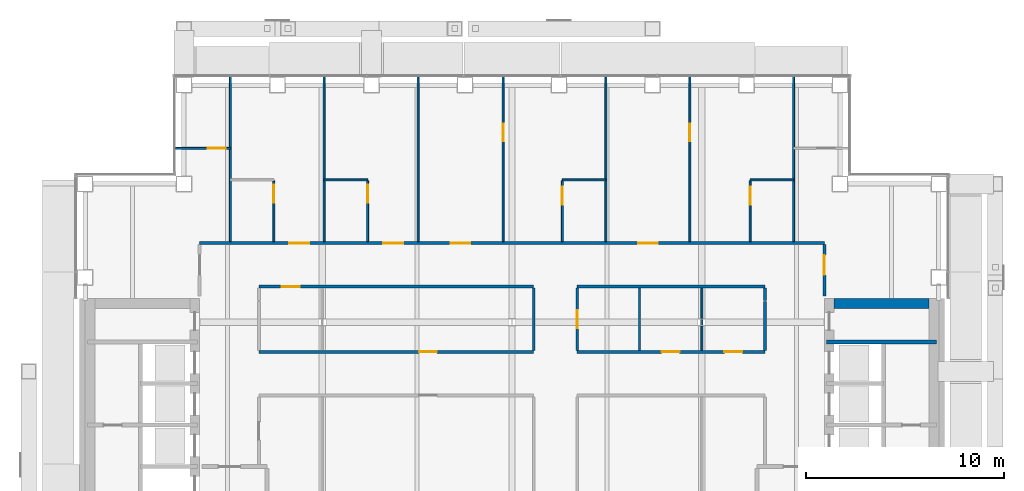
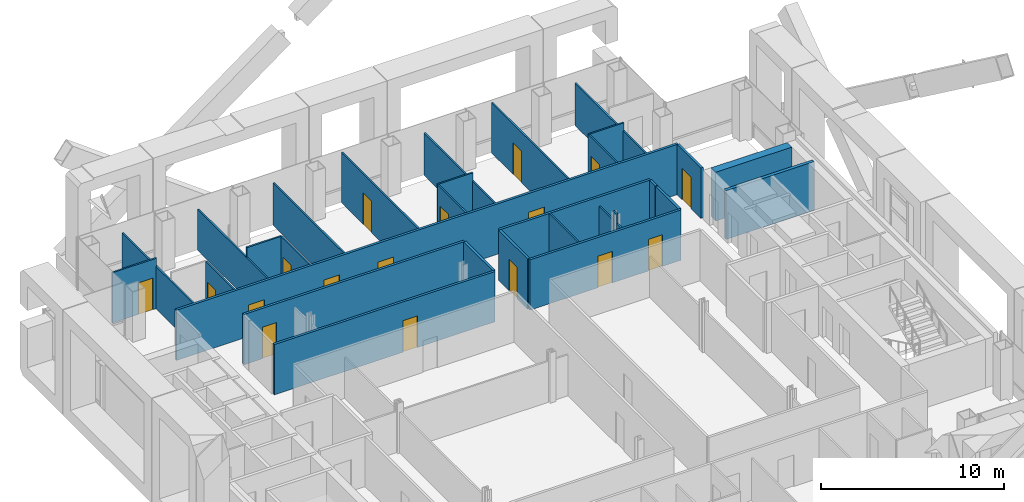
# One storey, part 15 of 22: 31 walls, 17 doors, 17 openings.
"""IFC4 building model written with IfcOpenShell, lengths in metres."""

from ifc_helpers import new_model, si_unit, direction, frame, frame_2d, origin, place, context, subcontext, project, spatial, rectangle, extrude, material, layer, layer_set, type_object, element, fill, save


model = new_model("IFC4")

# Units and contexts
model_context = context("Model", 3, precision=1e-05, world=origin(), true_north=direction((0.0, 1.0)))
body_context = subcontext(model_context, "Body", "Model", "MODEL_VIEW")
ifc_project = project(units=[si_unit("LENGTHUNIT", "METRE"), si_unit("AREAUNIT", "SQUARE_METRE"), si_unit("VOLUMEUNIT", "CUBIC_METRE"), si_unit("PLANEANGLEUNIT", "RADIAN"), si_unit("MASSUNIT", "GRAM", prefix="KILO")], contexts=[model_context])

# Site, building, storey
site_placement = place(None, origin())
site = spatial("IfcSite", under=ifc_project, at=site_placement, CompositionType="ELEMENT")
building_placement = place(site_placement, origin())
building = spatial("IfcBuilding", under=site, at=building_placement, Name="Cobrizo Arcos Hotel Tower", CompositionType="ELEMENT")
storey_placement = place(building_placement, frame((0.0, 0.0, 169.0)))
storey = spatial("IfcBuildingStorey", under=building, at=storey_placement, Name="L43", CompositionType="ELEMENT", Elevation=169.0)

# Wall, opening, door
ifc_material_1 = material(Name="Gypsum board partition")
ifc_layer_1 = layer(ifc_material_1, 0.14990234375)
ifc_layer_set_1 = layer_set([ifc_layer_1], Name="Corridor wall EI 60 150")
wall_type_1 = type_object("IfcWallType", Name="Corridor wall EI 60 150", PredefinedType="PARTITIONING", material=ifc_layer_set_1)
wall_1_placement = place(storey_placement, frame((-12.800048828125, 8.10009765625, 0.0), z_axis=(0.0, 0.0, 1.0), x_axis=(1.0, 0.0, 0.0)))
wall_1 = element("IfcWall", 1, at=wall_1_placement, inside=storey, type_object=wall_type_1, Name="Partition 033", PredefinedType="PARTITIONING", context=body_context, shape_type="SweptSolid", body=[
    extrude(rectangle(XDim=13.900146484375, YDim=0.14990234375, at=frame_2d((6.9501953125, 0.0))), origin(), (0.0, 0.0, 1.0), 3.35009765625),
])
opening_1_placement = place(wall_1_placement, frame((8.10009765625, 0.0, 0.0)))
opening_1 = element("IfcOpeningElement", 2, at=opening_1_placement, cuts=wall_1, Name="Opening RD-16", PredefinedType="OPENING", context=body_context, shape_type="SweptSolid", body=[
    extrude(rectangle(XDim=0.89990234375, YDim=2.10009765625, at=frame_2d((0.449951171875, 1.050048828125))), frame((0.0, 0.0869140625, 0.0), z_axis=(0.0, -1.0, 0.0), x_axis=(1.0, 0.0, 0.0)), (0.0, 0.0, 1.0), 0.173828125),
])
ifc_material_2 = material(Name="Timber door leaf", Category="wood")
door_type_1 = type_object("IfcDoorType", Name="Room door FD30 900x2100", OperationType="SINGLE_SWING_LEFT", PredefinedType="DOOR", material=ifc_material_2)
door_1_placement = place(opening_1_placement, origin())
door_1 = element("IfcDoor", 3, at=door_1_placement, inside=storey, type_object=door_type_1, Name="Door RD-16", OperationType="SINGLE_SWING_LEFT", OverallHeight=2.10009765625, OverallWidth=0.89990234375, PredefinedType="DOOR", context=body_context, shape_type="SweptSolid", body=[
    extrude(rectangle(XDim=0.89990234375, YDim=2.10009765625, at=frame_2d((0.449951171875, 1.050048828125))), frame((0.0, 0.02490234375, 0.0), z_axis=(0.0, -1.0, 0.0), x_axis=(1.0, 0.0, 0.0)), (0.0, 0.0, 1.0), 0.050048828125),
])
fill(opening_1, door_1)

# Wall, openings, doors
wall_2_placement = place(storey_placement, frame((3.300048828125, 8.10009765625, 0.0), z_axis=(0.0, 0.0, 1.0), x_axis=(1.0, 0.0, 0.0)))
wall_2 = element("IfcWall", 4, at=wall_2_placement, inside=storey, type_object=wall_type_1, Name="Partition 034", PredefinedType="PARTITIONING", context=body_context, shape_type="SweptSolid", body=[
    extrude(rectangle(XDim=9.5, YDim=0.14990234375, at=frame_2d((4.75, 0.0))), origin(), (0.0, 0.0, 1.0), 3.35009765625),
])
opening_2_placement = place(wall_2_placement, frame((7.449951171875, 0.0, 0.0)))
opening_2 = element("IfcOpeningElement", 5, at=opening_2_placement, cuts=wall_2, Name="Opening RD-13", PredefinedType="OPENING", context=body_context, shape_type="SweptSolid", body=[
    extrude(rectangle(XDim=0.89990234375, YDim=2.10009765625, at=frame_2d((0.449951171875, 1.050048828125))), frame((0.0, 0.0869140625, 0.0), z_axis=(0.0, -1.0, 0.0), x_axis=(1.0, 0.0, 0.0)), (0.0, 0.0, 1.0), 0.173828125),
])
opening_3_placement = place(wall_2_placement, frame((4.27490234375, 0.0, 0.0)))
opening_3 = element("IfcOpeningElement", 6, at=opening_3_placement, cuts=wall_2, Name="Opening ED-13", PredefinedType="OPENING", context=body_context, shape_type="SweptSolid", body=[
    extrude(rectangle(XDim=0.89990234375, YDim=2.10009765625, at=frame_2d((0.449951171875, 1.050048828125))), frame((0.0, 0.0869140625, 0.0), z_axis=(0.0, -1.0, 0.0), x_axis=(1.0, 0.0, 0.0)), (0.0, 0.0, 1.0), 0.173828125),
])
door_type_2 = type_object("IfcDoorType", Name="En-suite door 900x2100", OperationType="SINGLE_SWING_LEFT", PredefinedType="DOOR", material=ifc_material_2)
door_2_placement = place(opening_3_placement, origin())
door_2 = element("IfcDoor", 7, at=door_2_placement, inside=storey, type_object=door_type_2, Name="Door ED-13", OperationType="SINGLE_SWING_LEFT", OverallHeight=2.10009765625, OverallWidth=0.89990234375, PredefinedType="DOOR", context=body_context, shape_type="SweptSolid", body=[
    extrude(rectangle(XDim=0.89990234375, YDim=2.10009765625, at=frame_2d((0.449951171875, 1.050048828125))), frame((0.0, 0.02490234375, 0.0), z_axis=(0.0, -1.0, 0.0), x_axis=(1.0, 0.0, 0.0)), (0.0, 0.0, 1.0), 0.050048828125),
])
fill(opening_3, door_2)
door_3_placement = place(opening_2_placement, origin())
door_3 = element("IfcDoor", 8, at=door_3_placement, inside=storey, type_object=door_type_1, Name="Door RD-13", OperationType="SINGLE_SWING_RIGHT", OverallHeight=2.10009765625, OverallWidth=0.89990234375, PredefinedType="DOOR", context=body_context, shape_type="SweptSolid", body=[
    extrude(rectangle(XDim=0.89990234375, YDim=2.10009765625, at=frame_2d((0.449951171875, 1.050048828125))), frame((0.0, 0.02490234375, 0.0), z_axis=(0.0, -1.0, 0.0), x_axis=(1.0, 0.0, 0.0)), (0.0, 0.0, 1.0), 0.050048828125),
])
fill(opening_2, door_3)

# Wall, opening, door
wall_3_placement = place(storey_placement, frame((-12.800048828125, 11.39990234375, 0.0), z_axis=(0.0, 0.0, 1.0), x_axis=(1.0, 0.0, 0.0)))
wall_3 = element("IfcWall", 9, at=wall_3_placement, inside=storey, type_object=wall_type_1, Name="Partition 037", PredefinedType="PARTITIONING", context=body_context, shape_type="SweptSolid", body=[
    extrude(rectangle(XDim=13.900146484375, YDim=0.14990234375, at=frame_2d((6.9501953125, 0.0))), origin(), (0.0, 0.0, 1.0), 3.35009765625),
])
opening_4_placement = place(wall_3_placement, frame((1.14990234375, 0.0, 0.0)))
opening_4 = element("IfcOpeningElement", 10, at=opening_4_placement, cuts=wall_3, Name="Opening RD-14", PredefinedType="OPENING", context=body_context, shape_type="SweptSolid", body=[
    extrude(rectangle(XDim=0.89990234375, YDim=2.10009765625, at=frame_2d((0.449951171875, 1.050048828125))), frame((0.0, 0.0869140625, 0.0), z_axis=(0.0, -1.0, 0.0), x_axis=(1.0, 0.0, 0.0)), (0.0, 0.0, 1.0), 0.173828125),
])
door_4_placement = place(opening_4_placement, origin())
door_4 = element("IfcDoor", 11, at=door_4_placement, inside=storey, type_object=door_type_1, Name="Door RD-14", OperationType="SINGLE_SWING_RIGHT", OverallHeight=2.10009765625, OverallWidth=0.89990234375, PredefinedType="DOOR", context=body_context, shape_type="SweptSolid", body=[
    extrude(rectangle(XDim=0.89990234375, YDim=2.10009765625, at=frame_2d((0.449951171875, 1.050048828125))), frame((0.0, 0.02490234375, 0.0), z_axis=(0.0, -1.0, 0.0), x_axis=(1.0, 0.0, 0.0)), (0.0, 0.0, 1.0), 0.050048828125),
])
fill(opening_4, door_4)

# Wall
wall_4_placement = place(storey_placement, frame((3.300048828125, 11.39990234375, 0.0), z_axis=(0.0, 0.0, 1.0), x_axis=(1.0, 0.0, 0.0)))
element("IfcWall", 12, at=wall_4_placement, inside=storey, type_object=wall_type_1, Name="Partition 038", PredefinedType="PARTITIONING", context=body_context, shape_type="SweptSolid", body=[
    extrude(rectangle(XDim=9.5, YDim=0.14990234375, at=frame_2d((4.75, 0.0))), origin(), (0.0, 0.0, 1.0), 3.35009765625),
])

# Wall, openings, doors
wall_5_placement = place(storey_placement, frame((-15.800048828125, 13.60009765625, 0.0), z_axis=(0.0, 0.0, 1.0), x_axis=(1.0, 0.0, 0.0)))
wall_5 = element("IfcWall", 13, at=wall_5_placement, inside=storey, type_object=wall_type_1, Name="Partition 039", PredefinedType="PARTITIONING", context=body_context, shape_type="SweptSolid", body=[
    extrude(rectangle(XDim=31.60009765625, YDim=0.14990234375, at=frame_2d((15.800048828125, 0.0))), origin(), (0.0, 0.0, 1.0), 3.35009765625),
])
opening_5_placement = place(wall_5_placement, frame((4.54296875, 0.0, 0.0)))
opening_5 = element("IfcOpeningElement", 14, at=opening_5_placement, cuts=wall_5, Name="Opening GD-01", PredefinedType="OPENING", context=body_context, shape_type="SweptSolid", body=[
    extrude(rectangle(XDim=1.0, YDim=2.10009765625, at=frame_2d((0.5, 1.050048828125))), frame((0.0, 0.0869140625, 0.0), z_axis=(0.0, -1.0, 0.0), x_axis=(1.0, 0.0, 0.0)), (0.0, 0.0, 1.0), 0.173828125),
])
opening_6_placement = place(wall_5_placement, frame((9.285888671875, 0.0, 0.0)))
opening_6 = element("IfcOpeningElement", 15, at=opening_6_placement, cuts=wall_5, Name="Opening GD-02", PredefinedType="OPENING", context=body_context, shape_type="SweptSolid", body=[
    extrude(rectangle(XDim=1.0, YDim=2.10009765625, at=frame_2d((0.5, 1.050048828125))), frame((0.0, 0.0869140625, 0.0), z_axis=(0.0, -1.0, 0.0), x_axis=(1.0, 0.0, 0.0)), (0.0, 0.0, 1.0), 0.173828125),
])
opening_7_placement = place(wall_5_placement, frame((12.69189453125, 0.0, 0.0)))
opening_7 = element("IfcOpeningElement", 16, at=opening_7_placement, cuts=wall_5, Name="Opening GD-03", PredefinedType="OPENING", context=body_context, shape_type="SweptSolid", body=[
    extrude(rectangle(XDim=1.0, YDim=2.10009765625, at=frame_2d((0.5, 1.050048828125))), frame((0.0, 0.0869140625, 0.0), z_axis=(0.0, -1.0, 0.0), x_axis=(1.0, 0.0, 0.0)), (0.0, 0.0, 1.0), 0.173828125),
])
opening_8_placement = place(wall_5_placement, frame((22.177978515625, 0.0, 0.0)))
opening_8 = element("IfcOpeningElement", 17, at=opening_8_placement, cuts=wall_5, Name="Opening GD-04", PredefinedType="OPENING", context=body_context, shape_type="SweptSolid", body=[
    extrude(rectangle(XDim=1.0, YDim=2.10009765625, at=frame_2d((0.5, 1.050048828125))), frame((0.0, 0.0869140625, 0.0), z_axis=(0.0, -1.0, 0.0), x_axis=(1.0, 0.0, 0.0)), (0.0, 0.0, 1.0), 0.173828125),
])
door_type_3 = type_object("IfcDoorType", Name="Guest room door FD30S 1000x2100", OperationType="SINGLE_SWING_LEFT", PredefinedType="DOOR", material=ifc_material_2)
door_5_placement = place(opening_5_placement, origin())
door_5 = element("IfcDoor", 18, at=door_5_placement, inside=storey, type_object=door_type_3, Name="Door GD-01", OperationType="SINGLE_SWING_RIGHT", OverallHeight=2.10009765625, OverallWidth=1.0, PredefinedType="DOOR", context=body_context, shape_type="SweptSolid", body=[
    extrude(rectangle(XDim=1.0, YDim=2.10009765625, at=frame_2d((0.5, 1.050048828125))), frame((0.0, 0.02490234375, 0.0), z_axis=(0.0, -1.0, 0.0), x_axis=(1.0, 0.0, 0.0)), (0.0, 0.0, 1.0), 0.050048828125),
])
fill(opening_5, door_5)
door_6_placement = place(opening_6_placement, origin())
door_6 = element("IfcDoor", 19, at=door_6_placement, inside=storey, type_object=door_type_3, Name="Door GD-02", OperationType="SINGLE_SWING_LEFT", OverallHeight=2.10009765625, OverallWidth=1.0, PredefinedType="DOOR", context=body_context, shape_type="SweptSolid", body=[
    extrude(rectangle(XDim=1.0, YDim=2.10009765625, at=frame_2d((0.5, 1.050048828125))), frame((0.0, 0.02490234375, 0.0), z_axis=(0.0, -1.0, 0.0), x_axis=(1.0, 0.0, 0.0)), (0.0, 0.0, 1.0), 0.050048828125),
])
fill(opening_6, door_6)
door_7_placement = place(opening_7_placement, origin())
door_7 = element("IfcDoor", 20, at=door_7_placement, inside=storey, type_object=door_type_3, Name="Door GD-03", OperationType="SINGLE_SWING_RIGHT", OverallHeight=2.10009765625, OverallWidth=1.0, PredefinedType="DOOR", context=body_context, shape_type="SweptSolid", body=[
    extrude(rectangle(XDim=1.0, YDim=2.10009765625, at=frame_2d((0.5, 1.050048828125))), frame((0.0, 0.02490234375, 0.0), z_axis=(0.0, -1.0, 0.0), x_axis=(1.0, 0.0, 0.0)), (0.0, 0.0, 1.0), 0.050048828125),
])
fill(opening_7, door_7)
door_8_placement = place(opening_8_placement, origin())
door_8 = element("IfcDoor", 21, at=door_8_placement, inside=storey, type_object=door_type_3, Name="Door GD-04", OperationType="SINGLE_SWING_LEFT", OverallHeight=2.10009765625, OverallWidth=1.0, PredefinedType="DOOR", context=body_context, shape_type="SweptSolid", body=[
    extrude(rectangle(XDim=1.0, YDim=2.10009765625, at=frame_2d((0.5, 1.050048828125))), frame((0.0, 0.02490234375, 0.0), z_axis=(0.0, -1.0, 0.0), x_axis=(1.0, 0.0, 0.0)), (0.0, 0.0, 1.0), 0.050048828125),
])
fill(opening_8, door_8)

# Wall
wall_6_placement = place(storey_placement, frame((1.10009765625, 8.175048828125, 0.0), z_axis=(0.0, 0.0, 1.0), x_axis=(0.0, 1.0, 0.0)))
element("IfcWall", 22, at=wall_6_placement, inside=storey, type_object=wall_type_1, Name="Partition 076", PredefinedType="PARTITIONING", context=body_context, shape_type="SweptSolid", body=[
    extrude(rectangle(XDim=3.14990234375, YDim=0.14990234375, at=frame_2d((1.574951171875, 0.0))), origin(), (0.0, 0.0, 1.0), 3.35009765625),
])

# Wall, opening, door
wall_7_placement = place(storey_placement, frame((3.300048828125, 8.175048828125, 0.0), z_axis=(0.0, 0.0, 1.0), x_axis=(0.0, 1.0, 0.0)))
wall_7 = element("IfcWall", 23, at=wall_7_placement, inside=storey, type_object=wall_type_1, Name="Partition 080", PredefinedType="PARTITIONING", context=body_context, shape_type="SweptSolid", body=[
    extrude(rectangle(XDim=3.14990234375, YDim=0.14990234375, at=frame_2d((1.574951171875, 0.0))), origin(), (0.0, 0.0, 1.0), 3.35009765625),
])
opening_9_placement = place(wall_7_placement, frame((1.125, 0.0, 0.0)))
opening_9 = element("IfcOpeningElement", 24, at=opening_9_placement, cuts=wall_7, Name="Opening ED-12", PredefinedType="OPENING", context=body_context, shape_type="SweptSolid", body=[
    extrude(rectangle(XDim=0.89990234375, YDim=2.10009765625, at=frame_2d((0.449951171875, 1.050048828125))), frame((0.0, 0.0869140625, 0.0), z_axis=(0.0, -1.0, 0.0), x_axis=(1.0, 0.0, 0.0)), (0.0, 0.0, 1.0), 0.173828125),
])
door_9_placement = place(opening_9_placement, origin())
door_9 = element("IfcDoor", 25, at=door_9_placement, inside=storey, type_object=door_type_2, Name="Door ED-12", OperationType="SINGLE_SWING_RIGHT", OverallHeight=2.10009765625, OverallWidth=0.89990234375, PredefinedType="DOOR", context=body_context, shape_type="SweptSolid", body=[
    extrude(rectangle(XDim=0.89990234375, YDim=2.10009765625, at=frame_2d((0.449951171875, 1.050048828125))), frame((0.0, 0.02490234375, 0.0), z_axis=(0.0, -1.0, 0.0), x_axis=(1.0, 0.0, 0.0)), (0.0, 0.0, 1.0), 0.050048828125),
])
fill(opening_9, door_9)

# Walls
wall_8_placement = place(storey_placement, frame((12.800048828125, 8.175048828125, 0.0), z_axis=(0.0, 0.0, 1.0), x_axis=(0.0, 1.0, 0.0)))
element("IfcWall", 26, at=wall_8_placement, inside=storey, type_object=wall_type_1, Name="Partition 099", PredefinedType="PARTITIONING", context=body_context, shape_type="SweptSolid", body=[
    extrude(rectangle(XDim=2.474853515625, YDim=0.14990234375, at=frame_2d((1.2373046875, 0.0))), origin(), (0.0, 0.0, 1.0), 3.35009765625),
])
wall_9_placement = place(storey_placement, frame((12.800048828125, 10.699951171875, 0.0), z_axis=(0.0, 0.0, 1.0), x_axis=(0.0, 1.0, 0.0)))
element("IfcWall", 27, at=wall_9_placement, inside=storey, type_object=wall_type_1, Name="Partition 100", PredefinedType="PARTITIONING", context=body_context, shape_type="SweptSolid", body=[
    extrude(rectangle(XDim=0.625, YDim=0.14990234375, at=frame_2d((0.3125, 0.0))), origin(), (0.0, 0.0, 1.0), 3.35009765625),
])

# Wall, opening, door
wall_10_placement = place(storey_placement, frame((15.800048828125, 10.919921875, 0.0), z_axis=(0.0, 0.0, 1.0), x_axis=(0.0, 1.0, 0.0)))
wall_10 = element("IfcWall", 28, at=wall_10_placement, inside=storey, type_object=wall_type_1, Name="Partition 104", PredefinedType="PARTITIONING", context=body_context, shape_type="SweptSolid", body=[
    extrude(rectangle(XDim=2.60498046875, YDim=0.14990234375, at=frame_2d((1.302490234375, 0.0))), origin(), (0.0, 0.0, 1.0), 3.35009765625),
])
opening_10_placement = place(wall_10_placement, frame((1.080078125, 0.0, 0.0)))
opening_10 = element("IfcOpeningElement", 29, at=opening_10_placement, cuts=wall_10, Name="Opening GD-11", PredefinedType="OPENING", context=body_context, shape_type="SweptSolid", body=[
    extrude(rectangle(XDim=1.0, YDim=2.10009765625, at=frame_2d((0.5, 1.050048828125))), frame((0.0, 0.0869140625, 0.0), z_axis=(0.0, -1.0, 0.0), x_axis=(1.0, 0.0, 0.0)), (0.0, 0.0, 1.0), 0.173828125),
])
door_10_placement = place(opening_10_placement, origin())
door_10 = element("IfcDoor", 30, at=door_10_placement, inside=storey, type_object=door_type_3, Name="Door GD-11", OperationType="SINGLE_SWING_LEFT", OverallHeight=2.10009765625, OverallWidth=1.0, PredefinedType="DOOR", context=body_context, shape_type="SweptSolid", body=[
    extrude(rectangle(XDim=1.0, YDim=2.10009765625, at=frame_2d((0.5, 1.050048828125))), frame((0.0, 0.02490234375, 0.0), z_axis=(0.0, -1.0, 0.0), x_axis=(1.0, 0.0, 0.0)), (0.0, 0.0, 1.0), 0.050048828125),
])
fill(opening_10, door_10)

# Walls
ifc_layer_2 = layer(ifc_material_1, 0.10009765625)
ifc_layer_set_2 = layer_set([ifc_layer_2], Name="Partition EI 30 100")
wall_type_2 = type_object("IfcWallType", Name="Partition EI 30 100", PredefinedType="PARTITIONING", material=ifc_layer_set_2)
for number, where, z_axis, x_axis, name in (
    (31, (-9.5, 16.800048828125, 0.0), (0.0, 0.0, 1.0), (1.0, 0.0, 0.0), "Partition 041"),
    (32, (2.550048828125, 16.800048828125, 0.0), (0.0, 0.0, 1.0), (1.0, 0.0, 0.0), "Partition 042"),
    (33, (12.050048828125, 16.800048828125, 0.0), (0.0, 0.0, 1.0), (1.0, 0.0, 0.0), "Partition 043"),
):
    element("IfcWall", number, at=place(storey_placement, frame(where, z_axis=z_axis, x_axis=x_axis)), inside=storey, type_object=wall_type_2, Name=name, PredefinedType="PARTITIONING", context=body_context, shape_type="SweptSolid", body=[
        extrude(rectangle(XDim=2.199951171875, YDim=0.10009765625, at=frame_2d((1.10009765625, 0.0))), origin(), (0.0, 0.0, 1.0), 3.35009765625),
    ])

# Wall, opening, door
wall_11_placement = place(storey_placement, frame((-17.030029296875, 18.39990234375, 0.0), z_axis=(0.0, 0.0, 1.0), x_axis=(1.0, 0.0, 0.0)))
wall_11 = element("IfcWall", 34, at=wall_11_placement, inside=storey, type_object=wall_type_2, Name="Partition 044", PredefinedType="PARTITIONING", context=body_context, shape_type="SweptSolid", body=[
    extrude(rectangle(XDim=2.780029296875, YDim=0.10009765625, at=frame_2d((1.39013671875, 0.0))), origin(), (0.0, 0.0, 1.0), 3.35009765625),
])
opening_11_placement = place(wall_11_placement, frame((1.639892578125, 0.0, 0.0)))
opening_11 = element("IfcOpeningElement", 35, at=opening_11_placement, cuts=wall_11, Name="Opening ED-09", PredefinedType="OPENING", context=body_context, shape_type="SweptSolid", body=[
    extrude(rectangle(XDim=0.89990234375, YDim=2.10009765625, at=frame_2d((0.449951171875, 1.050048828125))), frame((0.0, 0.06201171875, 0.0), z_axis=(0.0, -1.0, 0.0), x_axis=(1.0, 0.0, 0.0)), (0.0, 0.0, 1.0), 0.1240234375),
])
door_11_placement = place(opening_11_placement, origin())
door_11 = element("IfcDoor", 36, at=door_11_placement, inside=storey, type_object=door_type_2, Name="Door ED-09", OperationType="SINGLE_SWING_RIGHT", OverallHeight=2.10009765625, OverallWidth=0.89990234375, PredefinedType="DOOR", context=body_context, shape_type="SweptSolid", body=[
    extrude(rectangle(XDim=0.89990234375, YDim=2.10009765625, at=frame_2d((0.449951171875, 1.050048828125))), frame((0.0, 0.02490234375, 0.0), z_axis=(0.0, -1.0, 0.0), x_axis=(1.0, 0.0, 0.0)), (0.0, 0.0, 1.0), 0.050048828125),
])
fill(opening_11, door_11)

# Wall
wall_12_placement = place(storey_placement, frame((-14.25, 13.675048828125, 0.0), z_axis=(0.0, 0.0, 1.0), x_axis=(0.0, 1.0, 0.0)))
element("IfcWall", 37, at=wall_12_placement, inside=storey, type_object=wall_type_2, Name="Partition 053", PredefinedType="PARTITIONING", context=body_context, shape_type="SweptSolid", body=[
    extrude(rectangle(XDim=8.35498046875, YDim=0.10009765625, at=frame_2d((4.177490234375, 0.0))), origin(), (0.0, 0.0, 1.0), 2.81689453125),
])

# Wall, opening, door
wall_13_placement = place(storey_placement, frame((-12.050048828125, 13.675048828125, 0.0), z_axis=(0.0, 0.0, 1.0), x_axis=(0.0, 1.0, 0.0)))
wall_13 = element("IfcWall", 38, at=wall_13_placement, inside=storey, type_object=wall_type_2, Name="Partition 059", PredefinedType="PARTITIONING", context=body_context, shape_type="SweptSolid", body=[
    extrude(rectangle(XDim=3.074951171875, YDim=0.10009765625, at=frame_2d((1.53759765625, 0.0))), origin(), (0.0, 0.0, 1.0), 3.35009765625),
])
opening_12_placement = place(wall_13_placement, frame((1.970947265625, 0.0, 0.0)))
opening_12 = element("IfcOpeningElement", 39, at=opening_12_placement, cuts=wall_13, Name="Opening ED-01", PredefinedType="OPENING", context=body_context, shape_type="SweptSolid", body=[
    extrude(rectangle(XDim=0.89990234375, YDim=2.10009765625, at=frame_2d((0.449951171875, 1.050048828125))), frame((0.0, 0.06201171875, 0.0), z_axis=(0.0, -1.0, 0.0), x_axis=(1.0, 0.0, 0.0)), (0.0, 0.0, 1.0), 0.1240234375),
])
door_12_placement = place(opening_12_placement, origin())
door_12 = element("IfcDoor", 40, at=door_12_placement, inside=storey, type_object=door_type_2, Name="Door ED-01", OperationType="SINGLE_SWING_RIGHT", OverallHeight=2.10009765625, OverallWidth=0.89990234375, PredefinedType="DOOR", context=body_context, shape_type="SweptSolid", body=[
    extrude(rectangle(XDim=0.89990234375, YDim=2.10009765625, at=frame_2d((0.449951171875, 1.050048828125))), frame((0.0, 0.02490234375, 0.0), z_axis=(0.0, -1.0, 0.0), x_axis=(1.0, 0.0, 0.0)), (0.0, 0.0, 1.0), 0.050048828125),
])
fill(opening_12, door_12)

# Wall
wall_14_placement = place(storey_placement, frame((-9.5, 13.675048828125, 0.0), z_axis=(0.0, 0.0, 1.0), x_axis=(0.0, 1.0, 0.0)))
element("IfcWall", 41, at=wall_14_placement, inside=storey, type_object=wall_type_2, Name="Partition 067", PredefinedType="PARTITIONING", context=body_context, shape_type="SweptSolid", body=[
    extrude(rectangle(XDim=8.35498046875, YDim=0.10009765625, at=frame_2d((4.177490234375, 0.0))), origin(), (0.0, 0.0, 1.0), 2.72802734375),
])

# Wall, opening, door
wall_15_placement = place(storey_placement, frame((-7.300048828125, 13.675048828125, 0.0), z_axis=(0.0, 0.0, 1.0), x_axis=(0.0, 1.0, 0.0)))
wall_15 = element("IfcWall", 42, at=wall_15_placement, inside=storey, type_object=wall_type_2, Name="Partition 069", PredefinedType="PARTITIONING", context=body_context, shape_type="SweptSolid", body=[
    extrude(rectangle(XDim=3.074951171875, YDim=0.10009765625, at=frame_2d((1.53759765625, 0.0))), origin(), (0.0, 0.0, 1.0), 3.35009765625),
])
opening_13_placement = place(wall_15_placement, frame((1.970947265625, 0.0, 0.0)))
opening_13 = element("IfcOpeningElement", 43, at=opening_13_placement, cuts=wall_15, Name="Opening ED-02", PredefinedType="OPENING", context=body_context, shape_type="SweptSolid", body=[
    extrude(rectangle(XDim=0.89990234375, YDim=2.10009765625, at=frame_2d((0.449951171875, 1.050048828125))), frame((0.0, 0.06201171875, 0.0), z_axis=(0.0, -1.0, 0.0), x_axis=(1.0, 0.0, 0.0)), (0.0, 0.0, 1.0), 0.1240234375),
])
door_13_placement = place(opening_13_placement, origin())
door_13 = element("IfcDoor", 44, at=door_13_placement, inside=storey, type_object=door_type_2, Name="Door ED-02", OperationType="SINGLE_SWING_LEFT", OverallHeight=2.10009765625, OverallWidth=0.89990234375, PredefinedType="DOOR", context=body_context, shape_type="SweptSolid", body=[
    extrude(rectangle(XDim=0.89990234375, YDim=2.10009765625, at=frame_2d((0.449951171875, 1.050048828125))), frame((0.0, 0.02490234375, 0.0), z_axis=(0.0, -1.0, 0.0), x_axis=(1.0, 0.0, 0.0)), (0.0, 0.0, 1.0), 0.050048828125),
])
fill(opening_13, door_13)

# Wall
wall_16_placement = place(storey_placement, frame((-4.75, 13.675048828125, 0.0), z_axis=(0.0, 0.0, 1.0), x_axis=(0.0, 1.0, 0.0)))
element("IfcWall", 45, at=wall_16_placement, inside=storey, type_object=wall_type_2, Name="Partition 070", PredefinedType="PARTITIONING", context=body_context, shape_type="SweptSolid", body=[
    extrude(rectangle(XDim=8.35498046875, YDim=0.10009765625, at=frame_2d((4.177490234375, 0.0))), origin(), (0.0, 0.0, 1.0), 2.81689453125),
])

# Wall, opening, door
wall_17_placement = place(storey_placement, frame((-0.449951171875, 13.675048828125, 0.0), z_axis=(0.0, 0.0, 1.0), x_axis=(0.0, 1.0, 0.0)))
wall_17 = element("IfcWall", 46, at=wall_17_placement, inside=storey, type_object=wall_type_2, Name="Partition 072", PredefinedType="PARTITIONING", context=body_context, shape_type="SweptSolid", body=[
    extrude(rectangle(XDim=8.35498046875, YDim=0.10009765625, at=frame_2d((4.177490234375, 0.0))), origin(), (0.0, 0.0, 1.0), 3.35009765625),
])
opening_14_placement = place(wall_17_placement, frame((5.074951171875, 0.0, 0.0)))
opening_14 = element("IfcOpeningElement", 47, at=opening_14_placement, cuts=wall_17, Name="Opening RD-09", PredefinedType="OPENING", context=body_context, shape_type="SweptSolid", body=[
    extrude(rectangle(XDim=0.89990234375, YDim=2.10009765625, at=frame_2d((0.449951171875, 1.050048828125))), frame((0.0, 0.06201171875, 0.0), z_axis=(0.0, -1.0, 0.0), x_axis=(1.0, 0.0, 0.0)), (0.0, 0.0, 1.0), 0.1240234375),
])
door_14_placement = place(opening_14_placement, origin())
door_14 = element("IfcDoor", 48, at=door_14_placement, inside=storey, type_object=door_type_1, Name="Door RD-09", OperationType="SINGLE_SWING_LEFT", OverallHeight=2.10009765625, OverallWidth=0.89990234375, PredefinedType="DOOR", context=body_context, shape_type="SweptSolid", body=[
    extrude(rectangle(XDim=0.89990234375, YDim=2.10009765625, at=frame_2d((0.449951171875, 1.050048828125))), frame((0.0, 0.02490234375, 0.0), z_axis=(0.0, -1.0, 0.0), x_axis=(1.0, 0.0, 0.0)), (0.0, 0.0, 1.0), 0.050048828125),
])
fill(opening_14, door_14)

wall_18_placement = place(storey_placement, frame((2.550048828125, 13.675048828125, 0.0), z_axis=(0.0, 0.0, 1.0), x_axis=(0.0, 1.0, 0.0)))
wall_18 = element("IfcWall", 49, at=wall_18_placement, inside=storey, type_object=wall_type_2, Name="Partition 078", PredefinedType="PARTITIONING", context=body_context, shape_type="SweptSolid", body=[
    extrude(rectangle(XDim=3.074951171875, YDim=0.10009765625, at=frame_2d((1.53759765625, 0.0))), origin(), (0.0, 0.0, 1.0), 3.35009765625),
])
opening_15_placement = place(wall_18_placement, frame((1.875, 0.0, 0.0)))
opening_15 = element("IfcOpeningElement", 50, at=opening_15_placement, cuts=wall_18, Name="Opening ED-03", PredefinedType="OPENING", context=body_context, shape_type="SweptSolid", body=[
    extrude(rectangle(XDim=0.89990234375, YDim=2.10009765625, at=frame_2d((0.449951171875, 1.050048828125))), frame((0.0, 0.06201171875, 0.0), z_axis=(0.0, -1.0, 0.0), x_axis=(1.0, 0.0, 0.0)), (0.0, 0.0, 1.0), 0.1240234375),
])
door_15_placement = place(opening_15_placement, origin())
door_15 = element("IfcDoor", 51, at=door_15_placement, inside=storey, type_object=door_type_2, Name="Door ED-03", OperationType="SINGLE_SWING_RIGHT", OverallHeight=2.10009765625, OverallWidth=0.89990234375, PredefinedType="DOOR", context=body_context, shape_type="SweptSolid", body=[
    extrude(rectangle(XDim=0.89990234375, YDim=2.10009765625, at=frame_2d((0.449951171875, 1.050048828125))), frame((0.0, 0.02490234375, 0.0), z_axis=(0.0, -1.0, 0.0), x_axis=(1.0, 0.0, 0.0)), (0.0, 0.0, 1.0), 0.050048828125),
])
fill(opening_15, door_15)

# Walls
wall_19_placement = place(storey_placement, frame((4.75, 13.675048828125, 0.0), z_axis=(0.0, 0.0, 1.0), x_axis=(0.0, 1.0, 0.0)))
element("IfcWall", 52, at=wall_19_placement, inside=storey, type_object=wall_type_2, Name="Partition 082", PredefinedType="PARTITIONING", context=body_context, shape_type="SweptSolid", body=[
    extrude(rectangle(XDim=8.35498046875, YDim=0.10009765625, at=frame_2d((4.177490234375, 0.0))), origin(), (0.0, 0.0, 1.0), 2.81689453125),
])
wall_20_placement = place(storey_placement, frame((6.449951171875, 8.175048828125, 0.0), z_axis=(0.0, 0.0, 1.0), x_axis=(0.0, 1.0, 0.0)))
element("IfcWall", 53, at=wall_20_placement, inside=storey, type_object=wall_type_2, Name="Partition 083", PredefinedType="PARTITIONING", context=body_context, shape_type="SweptSolid", body=[
    extrude(rectangle(XDim=3.14990234375, YDim=0.10009765625, at=frame_2d((1.574951171875, 0.0))), origin(), (0.0, 0.0, 1.0), 3.35009765625),
])

# Wall, opening, door
wall_21_placement = place(storey_placement, frame((9.0, 13.675048828125, 0.0), z_axis=(0.0, 0.0, 1.0), x_axis=(0.0, 1.0, 0.0)))
wall_21 = element("IfcWall", 54, at=wall_21_placement, inside=storey, type_object=wall_type_2, Name="Partition 085", PredefinedType="PARTITIONING", context=body_context, shape_type="SweptSolid", body=[
    extrude(rectangle(XDim=8.35498046875, YDim=0.10009765625, at=frame_2d((4.177490234375, 0.0))), origin(), (0.0, 0.0, 1.0), 3.35009765625),
])
opening_16_placement = place(wall_21_placement, frame((5.074951171875, 0.0, 0.0)))
opening_16 = element("IfcOpeningElement", 55, at=opening_16_placement, cuts=wall_21, Name="Opening RD-10", PredefinedType="OPENING", context=body_context, shape_type="SweptSolid", body=[
    extrude(rectangle(XDim=0.89990234375, YDim=2.10009765625, at=frame_2d((0.449951171875, 1.050048828125))), frame((0.0, 0.06201171875, 0.0), z_axis=(0.0, -1.0, 0.0), x_axis=(1.0, 0.0, 0.0)), (0.0, 0.0, 1.0), 0.1240234375),
])
door_16_placement = place(opening_16_placement, origin())
door_16 = element("IfcDoor", 56, at=door_16_placement, inside=storey, type_object=door_type_1, Name="Door RD-10", OperationType="SINGLE_SWING_RIGHT", OverallHeight=2.10009765625, OverallWidth=0.89990234375, PredefinedType="DOOR", context=body_context, shape_type="SweptSolid", body=[
    extrude(rectangle(XDim=0.89990234375, YDim=2.10009765625, at=frame_2d((0.449951171875, 1.050048828125))), frame((0.0, 0.02490234375, 0.0), z_axis=(0.0, -1.0, 0.0), x_axis=(1.0, 0.0, 0.0)), (0.0, 0.0, 1.0), 0.050048828125),
])
fill(opening_16, door_16)

# Walls
wall_22_placement = place(storey_placement, frame((9.60009765625, 8.175048828125, 0.0), z_axis=(0.0, 0.0, 1.0), x_axis=(0.0, 1.0, 0.0)))
element("IfcWall", 57, at=wall_22_placement, inside=storey, type_object=wall_type_2, Name="Partition 091", PredefinedType="PARTITIONING", context=body_context, shape_type="SweptSolid", body=[
    extrude(rectangle(XDim=1.238037109375, YDim=0.10009765625, at=frame_2d((0.619140625, 0.0))), origin(), (0.0, 0.0, 1.0), 2.72802734375),
])
wall_23_placement = place(storey_placement, frame((9.60009765625, 9.4130859375, 0.0), z_axis=(0.0, 0.0, 1.0), x_axis=(0.0, 1.0, 0.0)))
element("IfcWall", 58, at=wall_23_placement, inside=storey, type_object=wall_type_2, Name="Partition 092", PredefinedType="PARTITIONING", context=body_context, shape_type="SweptSolid", body=[
    extrude(rectangle(XDim=0.3740234375, YDim=0.10009765625, at=frame_2d((0.18701171875, 0.0))), origin(), (0.0, 0.0, 1.0), 3.35009765625),
])
wall_24_placement = place(storey_placement, frame((9.60009765625, 9.787109375, 0.0), z_axis=(0.0, 0.0, 1.0), x_axis=(0.0, 1.0, 0.0)))
element("IfcWall", 59, at=wall_24_placement, inside=storey, type_object=wall_type_2, Name="Partition 093", PredefinedType="PARTITIONING", context=body_context, shape_type="SweptSolid", body=[
    extrude(rectangle(XDim=1.537841796875, YDim=0.10009765625, at=frame_2d((0.76904296875, 0.0))), origin(), (0.0, 0.0, 1.0), 2.72802734375),
])

# Wall, opening, door
wall_25_placement = place(storey_placement, frame((12.050048828125, 13.675048828125, 0.0), z_axis=(0.0, 0.0, 1.0), x_axis=(0.0, 1.0, 0.0)))
wall_25 = element("IfcWall", 60, at=wall_25_placement, inside=storey, type_object=wall_type_2, Name="Partition 095", PredefinedType="PARTITIONING", context=body_context, shape_type="SweptSolid", body=[
    extrude(rectangle(XDim=3.074951171875, YDim=0.10009765625, at=frame_2d((1.53759765625, 0.0))), origin(), (0.0, 0.0, 1.0), 3.35009765625),
])
opening_17_placement = place(wall_25_placement, frame((1.875, 0.0, 0.0)))
opening_17 = element("IfcOpeningElement", 61, at=opening_17_placement, cuts=wall_25, Name="Opening ED-04", PredefinedType="OPENING", context=body_context, shape_type="SweptSolid", body=[
    extrude(rectangle(XDim=0.89990234375, YDim=2.10009765625, at=frame_2d((0.449951171875, 1.050048828125))), frame((0.0, 0.06201171875, 0.0), z_axis=(0.0, -1.0, 0.0), x_axis=(1.0, 0.0, 0.0)), (0.0, 0.0, 1.0), 0.1240234375),
])
door_17_placement = place(opening_17_placement, origin())
door_17 = element("IfcDoor", 62, at=door_17_placement, inside=storey, type_object=door_type_2, Name="Door ED-04", OperationType="SINGLE_SWING_RIGHT", OverallHeight=2.10009765625, OverallWidth=0.89990234375, PredefinedType="DOOR", context=body_context, shape_type="SweptSolid", body=[
    extrude(rectangle(XDim=0.89990234375, YDim=2.10009765625, at=frame_2d((0.449951171875, 1.050048828125))), frame((0.0, 0.02490234375, 0.0), z_axis=(0.0, -1.0, 0.0), x_axis=(1.0, 0.0, 0.0)), (0.0, 0.0, 1.0), 0.050048828125),
])
fill(opening_17, door_17)

# Walls
wall_26_placement = place(storey_placement, frame((14.25, 13.675048828125, 0.0), z_axis=(0.0, 0.0, 1.0), x_axis=(0.0, 1.0, 0.0)))
element("IfcWall", 63, at=wall_26_placement, inside=storey, type_object=wall_type_2, Name="Partition 102", PredefinedType="PARTITIONING", context=body_context, shape_type="SweptSolid", body=[
    extrude(rectangle(XDim=8.35498046875, YDim=0.10009765625, at=frame_2d((4.177490234375, 0.0))), origin(), (0.0, 0.0, 1.0), 2.81689453125),
])
ifc_material_3 = material(Name="Concrete f'c 50 MPa", Category="concrete")
ifc_layer_3 = layer(ifc_material_3, 0.5)
ifc_layer_set_3 = layer_set([ifc_layer_3], Name="RC core wall 500 f'c 50")
wall_type_3 = type_object("IfcWallType", Name="RC core wall 500 f'c 50", PredefinedType="SHEAR", material=ifc_layer_set_3)
wall_27_placement = place(storey_placement, frame((16.300048828125, 10.550048828125, 0.0), z_axis=(0.0, 0.0, 1.0), x_axis=(1.0, 0.0, 0.0)))
element("IfcWall", 64, at=wall_27_placement, inside=storey, type_object=wall_type_3, Name="Core wall CW3, east core, north end, L43", PredefinedType="SHEAR", context=body_context, shape_type="SweptSolid", body=[
    extrude(rectangle(XDim=4.800048828125, YDim=0.5, at=frame_2d((2.39990234375, 0.0))), origin(), (0.0, 0.0, 1.0), 3.25),
])
ifc_layer_4 = layer(ifc_material_1, 0.199951171875)
ifc_layer_set_4 = layer_set([ifc_layer_4], Name="Shaft wall EI 120 200")
wall_type_4 = type_object("IfcWallType", Name="Shaft wall EI 120 200", PredefinedType="PARTITIONING", material=ifc_layer_set_4)
wall_28_placement = place(storey_placement, frame((15.919921875, 8.60009765625, 0.0), z_axis=(0.0, 0.0, 1.0), x_axis=(1.0, 0.0, 0.0)))
element("IfcWall", 65, at=wall_28_placement, inside=storey, type_object=wall_type_4, Name="Partition 036", PredefinedType="PARTITIONING", context=body_context, shape_type="SweptSolid", body=[
    extrude(rectangle(XDim=5.56005859375, YDim=0.199951171875, at=frame_2d((2.780029296875, 0.0))), origin(), (0.0, 0.0, 1.0), 3.25),
])

save(model, "model.ifc")
